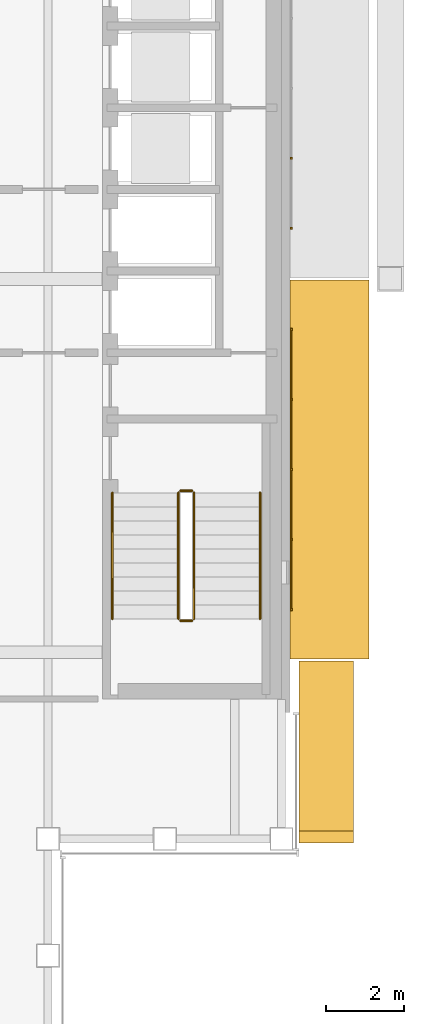
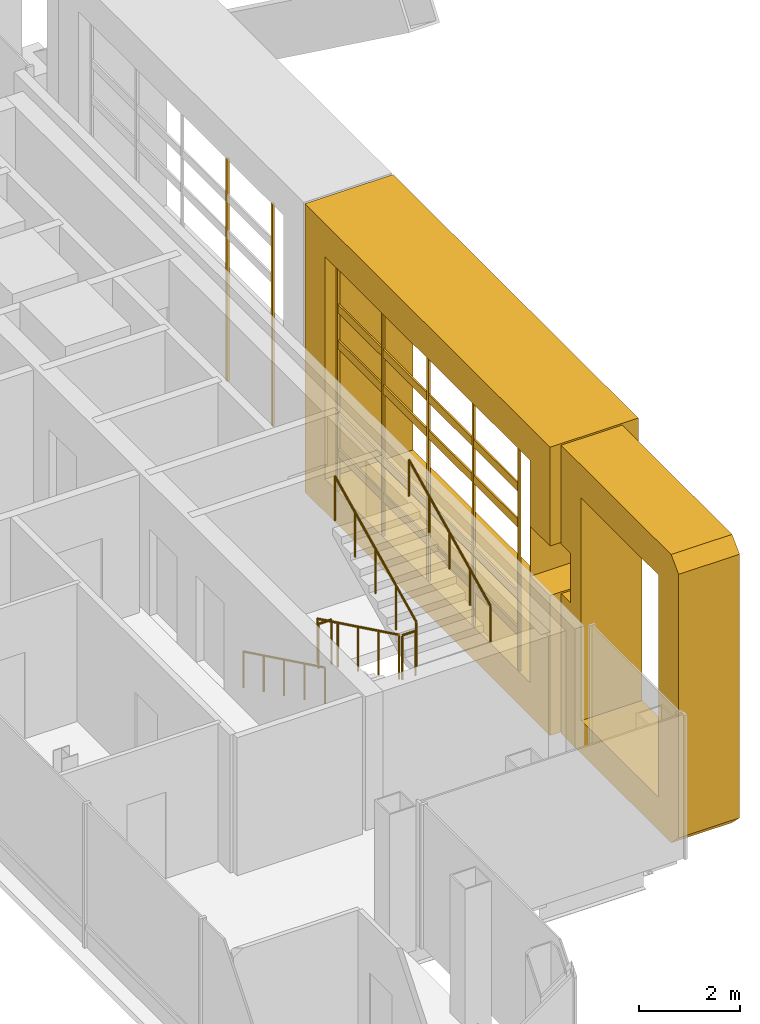
# One storey, part 18 of 21: 17 coverings, 6 railings.
"""IFC4 building model written with IfcOpenShell, lengths in metres."""

from ifc_helpers import new_model, si_unit, direction, frame, origin, origin_2d, place, context, subcontext, project, spatial, polyline, rectangle, circle, outline, extrude, material, type_object, element, save


model = new_model("IFC4")

# Units and contexts
model_context = context("Model", 3, precision=1e-05, world=origin(), true_north=direction((0.0, 1.0)))
body_context = subcontext(model_context, "Body", "Model", "MODEL_VIEW")
ifc_project = project(units=[si_unit("LENGTHUNIT", "METRE"), si_unit("AREAUNIT", "SQUARE_METRE"), si_unit("VOLUMEUNIT", "CUBIC_METRE"), si_unit("PLANEANGLEUNIT", "RADIAN"), si_unit("MASSUNIT", "GRAM", prefix="KILO")], contexts=[model_context])

# Site, building, storey
site_placement = place(None, origin())
site = spatial("IfcSite", under=ifc_project, at=site_placement, CompositionType="ELEMENT")
building_placement = place(site_placement, origin())
building = spatial("IfcBuilding", under=site, at=building_placement, Name="Cobrizo Arcos Hotel Tower", CompositionType="ELEMENT")
storey_placement = place(building_placement, frame((0.0, 0.0, 276.0)))
storey = spatial("IfcBuildingStorey", under=building, at=storey_placement, Name="L73", CompositionType="ELEMENT", Elevation=276.0)

# Coverings
ifc_material_1 = material(Name="Aluminium 6063-T6 anodised bronze", Category="aluminium")
covering_type_1 = type_object("IfcCoveringType", Name="FIN-F 1400", PredefinedType="CLADDING", material=ifc_material_1)
covering_1_placement = place(storey_placement, frame((20.85009765625, -14.5, 0.0), z_axis=(1.0, 0.0, 0.0), x_axis=(0.0, 1.0, 0.0)))
element("IfcCovering", 1, at=covering_1_placement, inside=storey, type_object=covering_type_1, Name="Fin frame 399", PredefinedType="CLADDING", context=body_context, shape_type="SweptSolid", body=[
    extrude(outline(polyline([(4.675048828125, 0.0), (4.675048828125, 3.39794921875), (4.298095703125, 3.39794921875), (4.298095703125, 4.60205078125), (4.675048828125, 4.60205078125), (4.675048828125, 7.0), (0.300048828125, 7.0), (0.0, 6.699951171875), (0.0, 0.300048828125), (0.300048828125, 0.0), (4.675048828125, 0.0)]), holes=[polyline([(3.875, 0.800048828125), (0.800048828125, 0.800048828125), (0.800048828125, 6.199951171875), (3.875, 6.199951171875), (3.875, 0.800048828125)])]), origin(), (0.0, 0.0, 1.0), 1.39990234375),
])
covering_type_2 = type_object("IfcCoveringType", Name="FIN-F 2025", PredefinedType="CLADDING", material=ifc_material_1)
covering_2_placement = place(storey_placement, frame((20.625, -9.77490234375, 0.0), z_axis=(1.0, 0.0, 0.0), x_axis=(0.0, 1.0, 0.0)))
element("IfcCovering", 2, at=covering_2_placement, inside=storey, type_object=covering_type_2, Name="Fin frame 400", PredefinedType="CLADDING", context=body_context, shape_type="SweptSolid", body=[
    extrude(outline(polyline([(0.0, 7.0), (0.0, 4.60205078125), (0.777099609375, 4.60205078125), (0.777099609375, 3.39794921875), (0.0, 3.39794921875), (0.0, 0.0), (9.75, 0.0), (9.75, 7.0), (0.0, 7.0)]), holes=[polyline([(8.949951171875, 0.800048828125), (0.800048828125, 0.800048828125), (0.800048828125, 6.199951171875), (8.949951171875, 6.199951171875), (8.949951171875, 0.800048828125)])]), origin(), (0.0, 0.0, 1.0), 2.02490234375),
])
ifc_material_2 = material(Name="Aluminium 6063-T6 anodised pale", Category="aluminium")
covering_type_3 = type_object("IfcCoveringType", Name="RS-2 rainscreen rib 60x50", PredefinedType="CLADDING", material=ifc_material_2)
for number, where, z_axis, x_axis, name in (
    (3, (20.64990234375, -8.5, 0.800048828125), (0.0, 0.0, 1.0), (0.0, 1.0, 0.0), "Rainscreen rib 291"),
    (4, (20.64990234375, -6.699951171875, 0.800048828125), (0.0, 0.0, 1.0), (0.0, 1.0, 0.0), "Rainscreen rib 292"),
    (5, (20.64990234375, -4.89990234375, 0.800048828125), (0.0, 0.0, 1.0), (0.0, 1.0, 0.0), "Rainscreen rib 293"),
    (6, (20.64990234375, -3.10009765625, 0.800048828125), (0.0, 0.0, 1.0), (0.0, 1.0, 0.0), "Rainscreen rib 294"),
    (7, (20.64990234375, -1.300048828125, 0.800048828125), (0.0, 0.0, 1.0), (0.0, 1.0, 0.0), "Rainscreen rib 295"),
    (8, (20.64990234375, 1.300048828125, 0.800048828125), (0.0, 0.0, 1.0), (0.0, 1.0, 0.0), "Rainscreen rib 296"),
    (9, (20.64990234375, 3.10009765625, 0.800048828125), (0.0, 0.0, 1.0), (0.0, 1.0, 0.0), "Rainscreen rib 297"),
):
    element("IfcCovering", number, at=place(storey_placement, frame(where, z_axis=z_axis, x_axis=x_axis)), inside=storey, type_object=covering_type_3, Name=name, PredefinedType="CLADDING", context=body_context, shape_type="SweptSolid", body=[
        extrude(rectangle(XDim=0.06005859375, YDim=0.050048828125, at=origin_2d()), origin(), (0.0, 0.0, 1.0), 5.39990234375),
    ])
covering_type_4 = type_object("IfcCoveringType", Name="RS-3 rainscreen louvre slat 200x40", PredefinedType="CLADDING", material=ifc_material_2)
for number, where, z_axis, x_axis, name in (
    (10, (20.64501953125, -6.699951171875, 1.64990234375), (0.0, 0.0, 1.0), (0.0, 1.0, 0.0), "Rainscreen slat 133"),
    (11, (20.64501953125, -6.699951171875, 2.52490234375), (0.0, 0.0, 1.0), (0.0, 1.0, 0.0), "Rainscreen slat 134"),
    (12, (20.64501953125, -3.10009765625, 1.64990234375), (0.0, 0.0, 1.0), (0.0, 1.0, 0.0), "Rainscreen slat 135"),
    (13, (20.64501953125, -3.10009765625, 2.52490234375), (0.0, 0.0, 1.0), (0.0, 1.0, 0.0), "Rainscreen slat 136"),
    (14, (20.64501953125, -6.699951171875, 4.27490234375), (0.0, 0.0, 1.0), (0.0, 1.0, 0.0), "Rainscreen slat 137"),
    (15, (20.64501953125, -6.699951171875, 5.14990234375), (0.0, 0.0, 1.0), (0.0, 1.0, 0.0), "Rainscreen slat 138"),
    (16, (20.64501953125, -3.10009765625, 4.27490234375), (0.0, 0.0, 1.0), (0.0, 1.0, 0.0), "Rainscreen slat 139"),
    (17, (20.64501953125, -3.10009765625, 5.14990234375), (0.0, 0.0, 1.0), (0.0, 1.0, 0.0), "Rainscreen slat 140"),
):
    element("IfcCovering", number, at=place(storey_placement, frame(where, z_axis=z_axis, x_axis=x_axis)), inside=storey, type_object=covering_type_4, Name=name, PredefinedType="CLADDING", context=body_context, shape_type="SweptSolid", body=[
        extrude(rectangle(XDim=3.5400390625, YDim=0.0400390625, at=origin_2d()), origin(), (0.0, 0.0, 1.0), 0.199951171875),
    ])

# Railings
ifc_material_3 = material(Name="Stainless steel railing", Category="steel")
railing_type_1 = type_object("IfcRailingType", Name="Stair guard 1100", PredefinedType="GUARDRAIL", material=ifc_material_3)
railing_1_placement = place(storey_placement, frame((17.75, -5.5, 0.175048828125)))
element("IfcRailing", 18, at=railing_1_placement, inside=storey, type_object=railing_type_1, Name="L73 ST-E stair guard 1", PredefinedType="GUARDRAIL", context=body_context, shape_type="SweptSolid", body=[
    extrude(circle(Radius=0.02392578125, at=origin_2d()), frame((0.0, 0.0, 1.076171875), z_axis=(0.0, -0.899372665325, 0.437182809435), x_axis=(1.0, 0.0, 0.0)), (0.0, 0.0, 1.0), 3.6025390625),
    extrude(circle(Radius=0.02099609375, at=origin_2d()), origin(), (0.0, 0.0, 1.0), 1.052001953125),
    extrude(circle(Radius=0.02099609375, at=origin_2d()), frame((0.0, -0.81005859375, 0.393798828125)), (0.0, 0.0, 1.0), 1.052001953125),
    extrude(circle(Radius=0.02099609375, at=origin_2d()), frame((0.0, -1.6201171875, 0.78759765625)), (0.0, 0.0, 1.0), 1.052001953125),
    extrude(circle(Radius=0.02099609375, at=origin_2d()), frame((0.0, -2.429931640625, 1.18115234375)), (0.0, 0.0, 1.0), 1.052001953125),
    extrude(circle(Radius=0.02099609375, at=origin_2d()), frame((0.0, -3.239990234375, 1.574951171875)), (0.0, 0.0, 1.0), 1.052001953125),
])
railing_2_placement = place(storey_placement, frame((17.800048828125, -8.7900390625, 1.75)))
element("IfcRailing", 19, at=railing_2_placement, inside=storey, type_object=railing_type_1, Name="L73 ST-E stair guard 2", PredefinedType="GUARDRAIL", context=body_context, shape_type="SweptSolid", body=[
    extrude(circle(Radius=0.02392578125, at=origin_2d()), frame((0.0, 0.0, 1.076171875), z_axis=(1.0, 0.0, 0.0), x_axis=(0.0, 1.0, 0.0)), (0.0, 0.0, 1.0), 0.300048828125),
    extrude(circle(Radius=0.02099609375, at=origin_2d()), origin(), (0.0, 0.0, 1.0), 1.052001953125),
    extrude(circle(Radius=0.02099609375, at=origin_2d()), frame((0.300048828125, 0.0, 0.0)), (0.0, 0.0, 1.0), 1.052001953125),
])
railing_3_placement = place(storey_placement, frame((18.14990234375, -8.739990234375, 1.925048828125)))
element("IfcRailing", 20, at=railing_3_placement, inside=storey, type_object=railing_type_1, Name="L73 ST-E stair guard 3", PredefinedType="GUARDRAIL", context=body_context, shape_type="SweptSolid", body=[
    extrude(circle(Radius=0.02392578125, at=origin_2d()), frame((0.0, 0.0, 1.076171875), z_axis=(0.0, 0.899372665325, 0.437182809435), x_axis=(-1.0, 0.0, 0.0)), (0.0, 0.0, 1.0), 3.6025390625),
    extrude(circle(Radius=0.02099609375, at=origin_2d()), origin(), (0.0, 0.0, 1.0), 1.052001953125),
    extrude(circle(Radius=0.02099609375, at=origin_2d()), frame((0.0, 0.81005859375, 0.393798828125)), (0.0, 0.0, 1.0), 1.052001953125),
    extrude(circle(Radius=0.02099609375, at=origin_2d()), frame((0.0, 1.6201171875, 0.78759765625)), (0.0, 0.0, 1.0), 1.052001953125),
    extrude(circle(Radius=0.02099609375, at=origin_2d()), frame((0.0, 2.429931640625, 1.18115234375)), (0.0, 0.0, 1.0), 1.052001953125),
    extrude(circle(Radius=0.02099609375, at=origin_2d()), frame((0.0, 3.239990234375, 1.574951171875)), (0.0, 0.0, 1.0), 1.052001953125),
])
railing_4_placement = place(storey_placement, frame((17.800048828125, -5.449951171875, 0.0)))
element("IfcRailing", 21, at=railing_4_placement, inside=storey, type_object=railing_type_1, Name="L73 ST-E stair guard 4", PredefinedType="GUARDRAIL", context=body_context, shape_type="SweptSolid", body=[
    extrude(circle(Radius=0.02392578125, at=origin_2d()), frame((0.0, 0.0, 1.076171875), z_axis=(1.0, 0.0, 0.0), x_axis=(0.0, 1.0, 0.0)), (0.0, 0.0, 1.0), 0.300048828125),
    extrude(circle(Radius=0.02099609375, at=origin_2d()), origin(), (0.0, 0.0, 1.0), 1.052001953125),
    extrude(circle(Radius=0.02099609375, at=origin_2d()), frame((0.300048828125, 0.0, 0.0)), (0.0, 0.0, 1.0), 1.052001953125),
])
railing_type_2 = type_object("IfcRailingType", Name="Stair handrail", PredefinedType="HANDRAIL", material=ifc_material_3)
railing_5_placement = place(storey_placement, frame((16.050048828125, -5.5, 0.175048828125)))
element("IfcRailing", 22, at=railing_5_placement, inside=storey, type_object=railing_type_2, Name="L73 ST-E stair handrail 1", PredefinedType="HANDRAIL", context=body_context, shape_type="SweptSolid", body=[
    extrude(circle(Radius=0.02392578125, at=origin_2d()), frame((0.0, 0.0, 0.8759765625), z_axis=(0.0, -0.899372665325, 0.437182809435), x_axis=(1.0, 0.0, 0.0)), (0.0, 0.0, 1.0), 3.6025390625),
    extrude(circle(Radius=0.02099609375, at=origin_2d()), origin(), (0.0, 0.0, 1.0), 0.851806640625),
    extrude(circle(Radius=0.02099609375, at=origin_2d()), frame((0.0, -0.81005859375, 0.393798828125)), (0.0, 0.0, 1.0), 0.851806640625),
    extrude(circle(Radius=0.02099609375, at=origin_2d()), frame((0.0, -1.6201171875, 0.78759765625)), (0.0, 0.0, 1.0), 0.851806640625),
    extrude(circle(Radius=0.02099609375, at=origin_2d()), frame((0.0, -2.429931640625, 1.18115234375)), (0.0, 0.0, 1.0), 0.851806640625),
    extrude(circle(Radius=0.02099609375, at=origin_2d()), frame((0.0, -3.239990234375, 1.574951171875)), (0.0, 0.0, 1.0), 0.851806640625),
])
railing_6_placement = place(storey_placement, frame((19.85009765625, -8.739990234375, 1.925048828125)))
element("IfcRailing", 23, at=railing_6_placement, inside=storey, type_object=railing_type_2, Name="L73 ST-E stair handrail 2", PredefinedType="HANDRAIL", context=body_context, shape_type="SweptSolid", body=[
    extrude(circle(Radius=0.02392578125, at=origin_2d()), frame((0.0, 0.0, 0.8759765625), z_axis=(0.0, 0.899372665325, 0.437182809435), x_axis=(-1.0, 0.0, 0.0)), (0.0, 0.0, 1.0), 3.6025390625),
    extrude(circle(Radius=0.02099609375, at=origin_2d()), origin(), (0.0, 0.0, 1.0), 0.851806640625),
    extrude(circle(Radius=0.02099609375, at=origin_2d()), frame((0.0, 0.81005859375, 0.393798828125)), (0.0, 0.0, 1.0), 0.851806640625),
    extrude(circle(Radius=0.02099609375, at=origin_2d()), frame((0.0, 1.6201171875, 0.78759765625)), (0.0, 0.0, 1.0), 0.851806640625),
    extrude(circle(Radius=0.02099609375, at=origin_2d()), frame((0.0, 2.429931640625, 1.18115234375)), (0.0, 0.0, 1.0), 0.851806640625),
    extrude(circle(Radius=0.02099609375, at=origin_2d()), frame((0.0, 3.239990234375, 1.574951171875)), (0.0, 0.0, 1.0), 0.851806640625),
])

save(model, "model.ifc")
